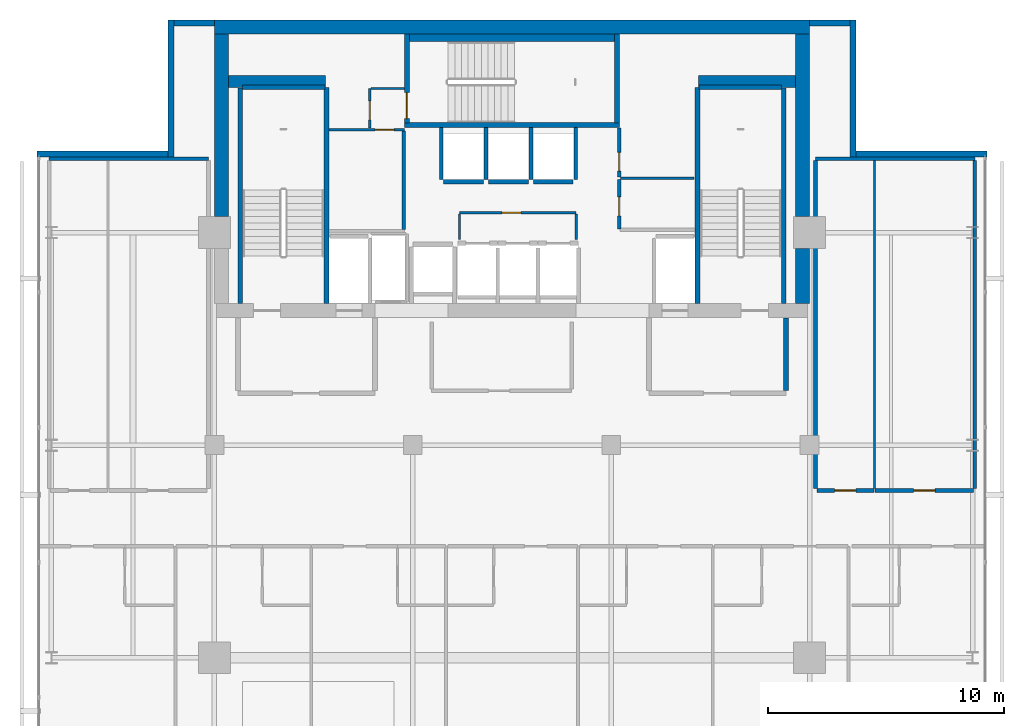
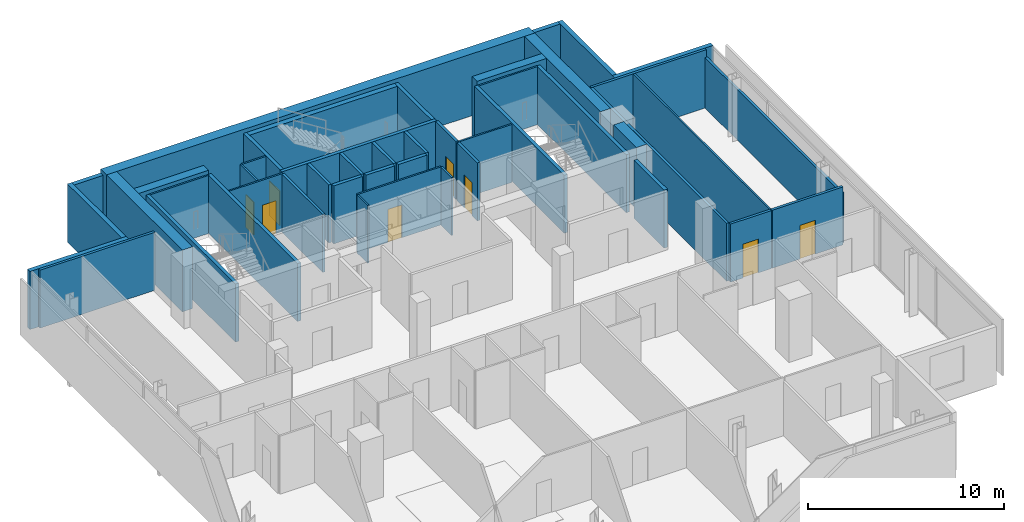
# One storey, part 19 of 24: 47 walls, 8 doors, 8 openings.
"""IFC4 building model written with IfcOpenShell, lengths in metres."""

from ifc_helpers import new_model, si_unit, direction, frame, frame_2d, origin, place, context, subcontext, project, spatial, rectangle, extrude, material, layer, layer_set, type_object, element, fill, save


model = new_model("IFC4")

# Units and contexts
model_context = context("Model", 3, precision=1e-05, world=origin(), true_north=direction((0.0, 1.0)))
body_context = subcontext(model_context, "Body", "Model", "MODEL_VIEW")
ifc_project = project(units=[si_unit("LENGTHUNIT", "METRE"), si_unit("AREAUNIT", "SQUARE_METRE"), si_unit("VOLUMEUNIT", "CUBIC_METRE"), si_unit("PLANEANGLEUNIT", "RADIAN"), si_unit("MASSUNIT", "GRAM", prefix="KILO")], contexts=[model_context])

# Site, building, storey
site_placement = place(None, origin())
site = spatial("IfcSite", under=ifc_project, at=site_placement, CompositionType="ELEMENT")
building_placement = place(site_placement, origin())
building = spatial("IfcBuilding", under=site, at=building_placement, Name="Maruvema Waterfront Hotel and Observation Tower", CompositionType="ELEMENT")
storey_placement = place(building_placement, frame((0.0, 0.0, 329.699951171875)))
storey = spatial("IfcBuildingStorey", under=building, at=storey_placement, Name="L81", CompositionType="ELEMENT", Elevation=329.699951171875)

# Wall
ifc_material_1 = material(Name="Twin-stud acoustic gypsum drywall", Category="gypsum")
ifc_layer_1 = layer(ifc_material_1, 0.14990234375, Name="Acoustic Corridor and Suite Demising Wall 150 mm")
ifc_layer_set_1 = layer_set([ifc_layer_1], Name="Twin-stud acoustic gypsum drywall")
wall_type_1 = type_object("IfcWallType", Name="Acoustic Corridor and Suite Demising Wall 150 mm", PredefinedType="PARTITIONING", material=ifc_layer_set_1)
wall_1_placement = place(storey_placement, frame((33.219970703125, 45.139892578125, 0.0), z_axis=(0.0, 0.0, 1.0), x_axis=(0.0, 1.0, 0.0)))
element("IfcWall", 1, at=wall_1_placement, inside=storey, type_object=wall_type_1, Name="L81 Freed B1 East Wall 014", PredefinedType="PARTITIONING", context=body_context, shape_type="SweptSolid", body=[
    extrude(rectangle(XDim=4.16015625, YDim=0.14990234375, at=frame_2d((2.080078125, 0.0))), origin(), (0.0, 0.0, 1.0), 3.610107421875),
])

# Wall, opening, door
wall_2_placement = place(storey_placement, frame((42.340087890625, 45.159912109375, 0.0), z_axis=(0.0, 0.0, 1.0), x_axis=(0.0, 1.0, 0.0)))
wall_2 = element("IfcWall", 2, at=wall_2_placement, inside=storey, type_object=wall_type_1, Name="L81 Freed B2 West S 018", PredefinedType="PARTITIONING", context=body_context, shape_type="SweptSolid", body=[
    extrude(rectangle(XDim=2.080078125, YDim=0.14990234375, at=frame_2d((1.0400390625, 0.0))), origin(), (0.0, 0.0, 1.0), 3.610107421875),
])
opening_1_placement = place(wall_2_placement, frame((0.550048828125, 0.0, 0.0)))
opening_1 = element("IfcOpeningElement", 3, at=opening_1_placement, cuts=wall_2, Name="Opening DR-080", PredefinedType="OPENING", context=body_context, shape_type="SweptSolid", body=[
    extrude(rectangle(XDim=0.800048828125, YDim=2.050048828125, at=frame_2d((0.39990234375, 1.02490234375))), frame((0.0, 0.0849609375, 0.0), z_axis=(0.0, -1.0, 0.0), x_axis=(1.0, 0.0, 0.0)), (0.0, 0.0, 1.0), 0.169921875),
])
ifc_material_2 = material(Name="Powder-coated steel access leaf", Category="steel")
door_type_1 = type_object("IfcDoorType", Name="Riser and Service Cupboard Door 800x2050 mm", OperationType="NOTDEFINED", PredefinedType="DOOR", material=ifc_material_2)
door_1_placement = place(opening_1_placement, frame((0.800048828125, 0.0, 0.0), z_axis=(0.0, 0.0, 1.0), x_axis=(-1.0, 0.0, 0.0)))
door_1 = element("IfcDoor", 4, at=door_1_placement, inside=storey, type_object=door_type_1, Name="L81 Butler Service Pantry Door", OperationType="SINGLE_SWING_RIGHT", OverallHeight=2.050048828125, OverallWidth=0.800048828125, PredefinedType="DOOR", context=body_context, shape_type="SweptSolid", body=[
    extrude(rectangle(XDim=0.800048828125, YDim=2.050048828125, at=frame_2d((0.39990234375, 1.02490234375))), frame((0.0, 0.02490234375, 0.0), z_axis=(0.0, -1.0, 0.0), x_axis=(1.0, 0.0, 0.0)), (0.0, 0.0, 1.0), 0.050048828125),
])
fill(opening_1, door_1)

wall_3_placement = place(storey_placement, frame((42.340087890625, 47.360107421875, 0.0), z_axis=(0.0, 0.0, 1.0), x_axis=(0.0, 1.0, 0.0)))
wall_3 = element("IfcWall", 5, at=wall_3_placement, inside=storey, type_object=wall_type_1, Name="L81 Freed B2 West N 019", PredefinedType="PARTITIONING", context=body_context, shape_type="SweptSolid", body=[
    extrude(rectangle(XDim=2.059814453125, YDim=0.14990234375, at=frame_2d((1.02978515625, 0.0))), origin(), (0.0, 0.0, 1.0), 3.610107421875),
])
opening_2_placement = place(wall_3_placement, frame((0.239990234375, 0.0, 0.0)))
opening_2 = element("IfcOpeningElement", 6, at=opening_2_placement, cuts=wall_3, Name="Opening DR-080", PredefinedType="OPENING", context=body_context, shape_type="SweptSolid", body=[
    extrude(rectangle(XDim=0.800048828125, YDim=2.050048828125, at=frame_2d((0.39990234375, 1.02490234375))), frame((0.0, 0.0849609375, 0.0), z_axis=(0.0, -1.0, 0.0), x_axis=(1.0, 0.0, 0.0)), (0.0, 0.0, 1.0), 0.169921875),
])
door_2_placement = place(opening_2_placement, frame((0.800048828125, 0.0, 0.0), z_axis=(0.0, 0.0, 1.0), x_axis=(-1.0, 0.0, 0.0)))
door_2 = element("IfcDoor", 7, at=door_2_placement, inside=storey, type_object=door_type_1, Name="L81 Core IT and Linen Store Door", OperationType="SINGLE_SWING_LEFT", OverallHeight=2.050048828125, OverallWidth=0.800048828125, PredefinedType="DOOR", context=body_context, shape_type="SweptSolid", body=[
    extrude(rectangle(XDim=0.800048828125, YDim=2.050048828125, at=frame_2d((0.39990234375, 1.02490234375))), frame((0.0, 0.02490234375, 0.0), z_axis=(0.0, -1.0, 0.0), x_axis=(1.0, 0.0, 0.0)), (0.0, 0.0, 1.0), 0.050048828125),
])
fill(opening_2, door_2)

# Walls
for number, where, z_axis, x_axis, name in (
    (8, (18.199951171875, 48.125, 0.0), (0.0, 0.0, 1.0), (1.0, 0.0, 0.0), "L81 L81-Z4W Back Wall 025"),
    (9, (50.64990234375, 48.125, 0.0), (0.0, 0.0, 1.0), (1.0, 0.0, 0.0), "L81 L81-Z4E Back Wall 031"),
):
    element("IfcWall", number, at=place(storey_placement, frame(where, z_axis=z_axis, x_axis=x_axis)), inside=storey, type_object=wall_type_1, Name=name, PredefinedType="PARTITIONING", context=body_context, shape_type="SweptSolid", body=[
        extrude(rectangle(XDim=6.75, YDim=0.14990234375, at=frame_2d((3.375, 0.0))), origin(), (0.0, 0.0, 1.0), 3.610107421875),
    ])
wall_4_placement = place(storey_placement, frame((50.64990234375, 34.159912109375, 0.0), z_axis=(0.0, 0.0, 1.0), x_axis=(0.0, 1.0, 0.0)))
element("IfcWall", 10, at=wall_4_placement, inside=storey, type_object=wall_type_1, Name="L81 L81-Z4E West Wall 032", PredefinedType="PARTITIONING", context=body_context, shape_type="SweptSolid", body=[
    extrude(rectangle(XDim=13.885009765625, YDim=0.14990234375, at=frame_2d((6.9423828125, 0.0))), origin(), (0.0, 0.0, 1.0), 3.610107421875),
])
wall_5_placement = place(storey_placement, frame((57.39990234375, 34.159912109375, 0.0), z_axis=(0.0, 0.0, 1.0), x_axis=(0.0, 1.0, 0.0)))
element("IfcWall", 11, at=wall_5_placement, inside=storey, type_object=wall_type_1, Name="L81 L81-Z4E East Wall 033", PredefinedType="PARTITIONING", context=body_context, shape_type="SweptSolid", body=[
    extrude(rectangle(XDim=13.885009765625, YDim=0.14990234375, at=frame_2d((6.9423828125, 0.0))), origin(), (0.0, 0.0, 1.0), 3.14111328125),
])

# Wall, opening, door
wall_6_placement = place(storey_placement, frame((50.7099609375, 34.080078125, 0.0), z_axis=(0.0, 0.0, 1.0), x_axis=(1.0, 0.0, 0.0)))
wall_6 = element("IfcWall", 12, at=wall_6_placement, inside=storey, type_object=wall_type_1, Name="L81 L81-Z4E Front 1 034", PredefinedType="PARTITIONING", context=body_context, shape_type="SweptSolid", body=[
    extrude(rectangle(XDim=2.407470703125, YDim=0.14990234375, at=frame_2d((1.20361328125, 0.0))), origin(), (0.0, 0.0, 1.0), 3.610107421875),
])
opening_3_placement = place(wall_6_placement, frame((0.753662109375, 0.0, 0.0)))
opening_3 = element("IfcOpeningElement", 13, at=opening_3_placement, cuts=wall_6, Name="Opening DR-090", PredefinedType="OPENING", context=body_context, shape_type="SweptSolid", body=[
    extrude(rectangle(XDim=0.89990234375, YDim=2.10009765625, at=frame_2d((0.449951171875, 1.050048828125))), frame((0.0, 0.0849609375, 0.0), z_axis=(0.0, -1.0, 0.0), x_axis=(1.0, 0.0, 0.0)), (0.0, 0.0, 1.0), 0.169921875),
])
ifc_material_3 = material(Name="Solid-core lacquered timber leaf", Category="wood")
door_type_2 = type_object("IfcDoorType", Name="Accessible Toilet and Room Door 900x2100 mm", OperationType="NOTDEFINED", PredefinedType="DOOR", material=ifc_material_3)
door_3_placement = place(opening_3_placement, frame((0.89990234375, 0.0, 0.0), z_axis=(0.0, 0.0, 1.0), x_axis=(-1.0, 0.0, 0.0)))
door_3 = element("IfcDoor", 14, at=door_3_placement, inside=storey, type_object=door_type_2, Name="L81 Executive Meeting Salon 1 Door", OperationType="SINGLE_SWING_LEFT", OverallHeight=2.10009765625, OverallWidth=0.89990234375, PredefinedType="DOOR", context=body_context, shape_type="SweptSolid", body=[
    extrude(rectangle(XDim=0.89990234375, YDim=2.10009765625, at=frame_2d((0.449951171875, 1.050048828125))), frame((0.0, 0.02490234375, 0.0), z_axis=(0.0, -1.0, 0.0), x_axis=(1.0, 0.0, 0.0)), (0.0, 0.0, 1.0), 0.050048828125),
])
fill(opening_3, door_3)

wall_7_placement = place(storey_placement, frame((53.177490234375, 34.080078125, 0.0), z_axis=(0.0, 0.0, 1.0), x_axis=(1.0, 0.0, 0.0)))
wall_7 = element("IfcWall", 15, at=wall_7_placement, inside=storey, type_object=wall_type_1, Name="L81 L81-Z4E Front 2 036", PredefinedType="PARTITIONING", context=body_context, shape_type="SweptSolid", body=[
    extrude(rectangle(XDim=4.16259765625, YDim=0.14990234375, at=frame_2d((2.081298828125, 0.0))), origin(), (0.0, 0.0, 1.0), 3.610107421875),
])
opening_4_placement = place(wall_7_placement, frame((1.63134765625, 0.0, 0.0)))
opening_4 = element("IfcOpeningElement", 16, at=opening_4_placement, cuts=wall_7, Name="Opening DR-090", PredefinedType="OPENING", context=body_context, shape_type="SweptSolid", body=[
    extrude(rectangle(XDim=0.89990234375, YDim=2.10009765625, at=frame_2d((0.449951171875, 1.050048828125))), frame((0.0, 0.0849609375, 0.0), z_axis=(0.0, -1.0, 0.0), x_axis=(1.0, 0.0, 0.0)), (0.0, 0.0, 1.0), 0.169921875),
])
door_4_placement = place(opening_4_placement, frame((0.89990234375, 0.0, 0.0), z_axis=(0.0, 0.0, 1.0), x_axis=(-1.0, 0.0, 0.0)))
door_4 = element("IfcDoor", 17, at=door_4_placement, inside=storey, type_object=door_type_2, Name="L81 Executive Meeting Salon 2 Door", OperationType="SINGLE_SWING_RIGHT", OverallHeight=2.10009765625, OverallWidth=0.89990234375, PredefinedType="DOOR", context=body_context, shape_type="SweptSolid", body=[
    extrude(rectangle(XDim=0.89990234375, YDim=2.10009765625, at=frame_2d((0.449951171875, 1.050048828125))), frame((0.0, 0.02490234375, 0.0), z_axis=(0.0, -1.0, 0.0), x_axis=(1.0, 0.0, 0.0)), (0.0, 0.0, 1.0), 0.050048828125),
])
fill(opening_4, door_4)

# Walls
ifc_material_4 = material(Name="Precast concrete C45/55", Category="concrete")
ifc_layer_2 = layer(ifc_material_4, 0.300048828125, Name="Core Shaft Furring Wall 300 mm")
ifc_layer_set_2 = layer_set([ifc_layer_2], Name="Precast concrete C45/55")
wall_type_2 = type_object("IfcWallType", Name="Core Shaft Furring Wall 300 mm", PredefinedType="SOLIDWALL", material=ifc_layer_set_2)
wall_8_placement = place(storey_placement, frame((33.449951171875, 53.25, 0.0), z_axis=(0.0, 0.0, 1.0), x_axis=(1.0, 0.0, 0.0)))
element("IfcWall", 18, at=wall_8_placement, inside=storey, type_object=wall_type_2, Name="L81 Stairwell ST-02 North Furring Wall", PredefinedType="SOLIDWALL", context=body_context, shape_type="SweptSolid", body=[
    extrude(rectangle(XDim=8.699951171875, YDim=0.300048828125, at=frame_2d((4.35009765625, 0.0))), origin(), (0.0, 0.0, 1.0), 3.610107421875),
])
ifc_material_5 = material(Name="Precast concrete C45/55", Category="concrete")
ifc_layer_3 = layer(ifc_material_5, 0.199951171875, Name="Core Shaft and Stairwell Enclosure Wall 200 mm")
ifc_layer_set_3 = layer_set([ifc_layer_3], Name="Precast concrete C45/55")
wall_type_3 = type_object("IfcWallType", Name="Core Shaft and Stairwell Enclosure Wall 200 mm", PredefinedType="SOLIDWALL", material=ifc_layer_set_3)
wall_9_placement = place(storey_placement, frame((29.949951171875, 42.0, 0.0), z_axis=(0.0, 0.0, 1.0), x_axis=(0.0, 1.0, 0.0)))
element("IfcWall", 19, at=wall_9_placement, inside=storey, type_object=wall_type_3, Name="L81 Stairwell ST-01 East Shaft Wall", PredefinedType="SOLIDWALL", context=body_context, shape_type="SweptSolid", body=[
    extrude(rectangle(XDim=9.14990234375, YDim=0.199951171875, at=frame_2d((4.574951171875, 0.0))), origin(), (0.0, 0.0, 1.0), 3.610107421875),
])
wall_10_placement = place(storey_placement, frame((26.300048828125, 42.0, 0.0), z_axis=(0.0, 0.0, 1.0), x_axis=(0.0, 1.0, 0.0)))
element("IfcWall", 20, at=wall_10_placement, inside=storey, type_object=wall_type_3, Name="L81 Stairwell ST-01 Shaft Lining Wall", PredefinedType="SOLIDWALL", context=body_context, shape_type="SweptSolid", body=[
    extrude(rectangle(XDim=9.1201171875, YDim=0.199951171875, at=frame_2d((4.56005859375, 0.0))), origin(), (0.0, 0.0, 1.0), 3.610107421875),
])
wall_11_placement = place(storey_placement, frame((26.3798828125, 51.14990234375, 0.0), z_axis=(0.0, 0.0, 1.0), x_axis=(1.0, 0.0, 0.0)))
element("IfcWall", 21, at=wall_11_placement, inside=storey, type_object=wall_type_3, Name="L81 Stairwell ST-01 Shaft Lining Wall", PredefinedType="SOLIDWALL", context=body_context, shape_type="SweptSolid", body=[
    extrude(rectangle(XDim=3.5, YDim=0.199951171875, at=frame_2d((1.75, 0.0))), origin(), (0.0, 0.0, 1.0), 3.610107421875),
])
wall_12_placement = place(storey_placement, frame((33.25, 49.550048828125, 0.0), z_axis=(0.0, 0.0, 1.0), x_axis=(1.0, 0.0, 0.0)))
element("IfcWall", 22, at=wall_12_placement, inside=storey, type_object=wall_type_3, Name="L81 Stairwell ST-02 Shaft Wall", PredefinedType="SOLIDWALL", context=body_context, shape_type="SweptSolid", body=[
    extrude(rectangle(XDim=9.10009765625, YDim=0.199951171875, at=frame_2d((4.550048828125, 0.0))), origin(), (0.0, 0.0, 1.0), 3.610107421875),
])
wall_13_placement = place(storey_placement, frame((42.25, 49.64990234375, 0.0), z_axis=(0.0, 0.0, 1.0), x_axis=(0.0, 1.0, 0.0)))
element("IfcWall", 23, at=wall_13_placement, inside=storey, type_object=wall_type_3, Name="L81 Stairwell ST-02 Shaft Wall", PredefinedType="SOLIDWALL", context=body_context, shape_type="SweptSolid", body=[
    extrude(rectangle(XDim=3.75, YDim=0.199951171875, at=frame_2d((1.875, 0.0))), origin(), (0.0, 0.0, 1.0), 3.610107421875),
])

# Wall, opening, door
wall_14_placement = place(storey_placement, frame((33.35009765625, 49.64990234375, 0.0), z_axis=(0.0, 0.0, 1.0), x_axis=(0.0, 1.0, 0.0)))
wall_14 = element("IfcWall", 24, at=wall_14_placement, inside=storey, type_object=wall_type_3, Name="L81 Stairwell ST-02 Shaft Wall", PredefinedType="SOLIDWALL", context=body_context, shape_type="SweptSolid", body=[
    extrude(rectangle(XDim=3.75, YDim=0.199951171875, at=frame_2d((1.875, 0.0))), origin(), (0.0, 0.0, 1.0), 3.610107421875),
])
opening_5_placement = place(wall_14_placement, frame((0.179931640625, 0.0, 0.0)))
opening_5 = element("IfcOpeningElement", 25, at=opening_5_placement, cuts=wall_14, Name="Opening SD-02", PredefinedType="OPENING", context=body_context, shape_type="SweptSolid", body=[
    extrude(rectangle(XDim=1.10009765625, YDim=2.14990234375, at=frame_2d((0.550048828125, 1.074951171875))), frame((0.0, 0.10986328125, 0.0), z_axis=(0.0, -1.0, 0.0), x_axis=(1.0, 0.0, 0.0)), (0.0, 0.0, 1.0), 0.219970703125),
])
ifc_material_6 = material(Name="Fire-rated galvanised steel leaf", Category="steel")
door_type_3 = type_object("IfcDoorType", Name="Central Exit Stair Fire Door 1100x2150 mm", OperationType="NOTDEFINED", PredefinedType="DOOR", material=ifc_material_6)
door_5_placement = place(opening_5_placement, frame((1.10009765625, 0.0, 0.0), z_axis=(0.0, 0.0, 1.0), x_axis=(-1.0, 0.0, 0.0)))
door_5 = element("IfcDoor", 26, at=door_5_placement, inside=storey, type_object=door_type_3, Name="L81 Exit Stair ST-02 Fire Door", OperationType="SINGLE_SWING_LEFT", OverallHeight=2.14990234375, OverallWidth=1.10009765625, PredefinedType="DOOR", context=body_context, shape_type="SweptSolid", body=[
    extrude(rectangle(XDim=1.10009765625, YDim=2.14990234375, at=frame_2d((0.550048828125, 1.074951171875))), frame((0.0, 0.02490234375, 0.0), z_axis=(0.0, -1.0, 0.0), x_axis=(1.0, 0.0, 0.0)), (0.0, 0.0, 1.0), 0.050048828125),
])
fill(opening_5, door_5)

# Walls
wall_15_placement = place(storey_placement, frame((45.64990234375, 42.0, 0.0), z_axis=(0.0, 0.0, 1.0), x_axis=(0.0, 1.0, 0.0)))
element("IfcWall", 27, at=wall_15_placement, inside=storey, type_object=wall_type_3, Name="L81 Stairwell ST-03 West Shaft Wall", PredefinedType="SOLIDWALL", context=body_context, shape_type="SweptSolid", body=[
    extrude(rectangle(XDim=9.14990234375, YDim=0.199951171875, at=frame_2d((4.574951171875, 0.0))), origin(), (0.0, 0.0, 1.0), 3.610107421875),
])
wall_16_placement = place(storey_placement, frame((49.300048828125, 42.0, 0.0), z_axis=(0.0, 0.0, 1.0), x_axis=(0.0, 1.0, 0.0)))
element("IfcWall", 28, at=wall_16_placement, inside=storey, type_object=wall_type_3, Name="L81 Stairwell ST-03 Shaft Lining Wall", PredefinedType="SOLIDWALL", context=body_context, shape_type="SweptSolid", body=[
    extrude(rectangle(XDim=9.1201171875, YDim=0.199951171875, at=frame_2d((4.56005859375, 0.0))), origin(), (0.0, 0.0, 1.0), 3.610107421875),
])
wall_17_placement = place(storey_placement, frame((45.719970703125, 51.14990234375, 0.0), z_axis=(0.0, 0.0, 1.0), x_axis=(1.0, 0.0, 0.0)))
element("IfcWall", 29, at=wall_17_placement, inside=storey, type_object=wall_type_3, Name="L81 Stairwell ST-03 Shaft Lining Wall", PredefinedType="SOLIDWALL", context=body_context, shape_type="SweptSolid", body=[
    extrude(rectangle(XDim=3.5, YDim=0.199951171875, at=frame_2d((1.75, 0.0))), origin(), (0.0, 0.0, 1.0), 3.610107421875),
])
wall_18_placement = place(storey_placement, frame((34.909912109375, 47.14990234375, 0.0), z_axis=(0.0, 0.0, 1.0), x_axis=(1.0, 0.0, 0.0)))
element("IfcWall", 30, at=wall_18_placement, inside=storey, type_object=wall_type_3, Name="L81 Lift LF-12 Hoistway Front Wall", PredefinedType="SOLIDWALL", context=body_context, shape_type="SweptSolid", body=[
    extrude(rectangle(XDim=1.68017578125, YDim=0.199951171875, at=frame_2d((0.840087890625, 0.0))), origin(), (0.0, 0.0, 1.0), 3.610107421875),
])
for number, where, z_axis, x_axis, name in (
    (31, (36.81005859375, 47.14990234375, 0.0), (0.0, 0.0, 1.0), (1.0, 0.0, 0.0), "L81 Lift LF-13 Hoistway Front Wall"),
    (32, (38.7099609375, 47.14990234375, 0.0), (0.0, 0.0, 1.0), (1.0, 0.0, 0.0), "L81 Lift LF-14 Hoistway Front Wall"),
):
    element("IfcWall", number, at=place(storey_placement, frame(where, z_axis=z_axis, x_axis=x_axis)), inside=storey, type_object=wall_type_3, Name=name, PredefinedType="SOLIDWALL", context=body_context, shape_type="SweptSolid", body=[
        extrude(rectangle(XDim=1.679931640625, YDim=0.199951171875, at=frame_2d((0.83984375, 0.0))), origin(), (0.0, 0.0, 1.0), 3.610107421875),
    ])
ifc_material_7 = material(Name="Concrete C70/85", Category="concrete")
ifc_layer_4 = layer(ifc_material_7, 0.5, Name="Core Shear Wall 500 mm")
ifc_layer_set_4 = layer_set([ifc_layer_4], Name="Concrete C70/85")
wall_type_4 = type_object("IfcWallType", Name="Core Shear Wall 500 mm", PredefinedType="SHEAR", material=ifc_layer_set_4)
wall_19_placement = place(storey_placement, frame((25.800048828125, 51.39990234375, 0.0), z_axis=(0.0, 0.0, 1.0), x_axis=(1.0, 0.0, 0.0)))
element("IfcWall", 33, at=wall_19_placement, inside=storey, type_object=wall_type_4, Name="L81 Internal Core Shear Wall NW 500 mm", PredefinedType="SHEAR", context=body_context, shape_type="SweptSolid", body=[
    extrude(rectangle(XDim=4.099853515625, YDim=0.5, at=frame_2d((2.0498046875, 0.0))), origin(), (0.0, 0.0, 1.0), 3.85009765625),
])
wall_20_placement = place(storey_placement, frame((45.699951171875, 51.39990234375, 0.0), z_axis=(0.0, 0.0, 1.0), x_axis=(1.0, 0.0, 0.0)))
element("IfcWall", 34, at=wall_20_placement, inside=storey, type_object=wall_type_4, Name="L81 Internal Core Shear Wall NE 500 mm", PredefinedType="SHEAR", context=body_context, shape_type="SweptSolid", body=[
    extrude(rectangle(XDim=4.10009765625, YDim=0.5, at=frame_2d((2.050048828125, 0.0))), origin(), (0.0, 0.0, 1.0), 3.85009765625),
])
ifc_material_8 = material(Name="Concrete C60/75", Category="concrete")
ifc_layer_5 = layer(ifc_material_8, 0.60009765625, Name="Core Shear Wall 600 mm")
ifc_layer_set_5 = layer_set([ifc_layer_5], Name="Concrete C60/75")
wall_type_5 = type_object("IfcWallType", Name="Core Shear Wall 600 mm", PredefinedType="SHEAR", material=ifc_layer_set_5)
wall_21_placement = place(storey_placement, frame((25.199951171875, 53.699951171875, 0.0), z_axis=(0.0, 0.0, 1.0), x_axis=(1.0, 0.0, 0.0)))
element("IfcWall", 35, at=wall_21_placement, inside=storey, type_object=wall_type_5, Name="L81 North Core Shear Wall", PredefinedType="SHEAR", context=body_context, shape_type="SweptSolid", body=[
    extrude(rectangle(XDim=25.199951171875, YDim=0.60009765625, at=frame_2d((12.60009765625, 0.0))), origin(), (0.0, 0.0, 1.0), 3.85009765625),
])
wall_22_placement = place(storey_placement, frame((25.5, 45.675048828125, 0.0), z_axis=(0.0, 0.0, 1.0), x_axis=(0.0, 1.0, 0.0)))
element("IfcWall", 36, at=wall_22_placement, inside=storey, type_object=wall_type_5, Name="L81 West-North Core Shear Wall", PredefinedType="SHEAR", context=body_context, shape_type="SweptSolid", body=[
    extrude(rectangle(XDim=7.724853515625, YDim=0.60009765625, at=frame_2d((3.8623046875, 0.0))), origin(), (0.0, 0.0, 1.0), 3.85009765625),
])
wall_23_placement = place(storey_placement, frame((50.10009765625, 42.0, 0.0), z_axis=(0.0, 0.0, 1.0), x_axis=(0.0, 1.0, 0.0)))
element("IfcWall", 37, at=wall_23_placement, inside=storey, type_object=wall_type_5, Name="L81 East-South Core Shear Wall", PredefinedType="SHEAR", context=body_context, shape_type="SweptSolid", body=[
    extrude(rectangle(XDim=2.324951171875, YDim=0.60009765625, at=frame_2d((1.16259765625, 0.0))), origin(), (0.0, 0.0, 1.0), 3.85009765625),
])
wall_24_placement = place(storey_placement, frame((50.10009765625, 45.675048828125, 0.0), z_axis=(0.0, 0.0, 1.0), x_axis=(0.0, 1.0, 0.0)))
element("IfcWall", 38, at=wall_24_placement, inside=storey, type_object=wall_type_5, Name="L81 East-North Core Shear Wall", PredefinedType="SHEAR", context=body_context, shape_type="SweptSolid", body=[
    extrude(rectangle(XDim=7.724853515625, YDim=0.60009765625, at=frame_2d((3.8623046875, 0.0))), origin(), (0.0, 0.0, 1.0), 3.85009765625),
])

# Wall, opening, door
ifc_material_9 = material(Name="Moisture-resistant cement-board drywall", Category="gypsum")
ifc_layer_6 = layer(ifc_material_9, 0.10009765625, Name="En-Suite Moisture-Resistant Partition 100 mm")
ifc_layer_set_6 = layer_set([ifc_layer_6], Name="Moisture-resistant cement-board drywall")
wall_type_6 = type_object("IfcWallType", Name="En-Suite Moisture-Resistant Partition 100 mm", PredefinedType="PARTITIONING", material=ifc_layer_set_6)
wall_25_placement = place(storey_placement, frame((35.580078125, 45.840087890625, 0.0), z_axis=(0.0, 0.0, 1.0), x_axis=(1.0, 0.0, 0.0)))
wall_25 = element("IfcWall", 39, at=wall_25_placement, inside=storey, type_object=wall_type_6, Name="L81 Core Closet K0 North 010", PredefinedType="PARTITIONING", context=body_context, shape_type="SweptSolid", body=[
    extrude(rectangle(XDim=4.93994140625, YDim=0.10009765625, at=frame_2d((2.469970703125, 0.0))), origin(), (0.0, 0.0, 1.0), 3.610107421875),
])
opening_6_placement = place(wall_25_placement, frame((1.800048828125, 0.0, 0.0)))
opening_6 = element("IfcOpeningElement", 40, at=opening_6_placement, cuts=wall_25, Name="Opening DR-080", PredefinedType="OPENING", context=body_context, shape_type="SweptSolid", body=[
    extrude(rectangle(XDim=0.800048828125, YDim=2.050048828125, at=frame_2d((0.39990234375, 1.02490234375))), frame((0.0, 0.06005859375, 0.0), z_axis=(0.0, -1.0, 0.0), x_axis=(1.0, 0.0, 0.0)), (0.0, 0.0, 1.0), 0.1201171875),
])
door_6_placement = place(opening_6_placement, origin())
door_6 = element("IfcDoor", 41, at=door_6_placement, inside=storey, type_object=door_type_1, Name="L81 Core Electrical Closet Door", OperationType="SINGLE_SWING_LEFT", OverallHeight=2.050048828125, OverallWidth=0.800048828125, PredefinedType="DOOR", context=body_context, shape_type="SweptSolid", body=[
    extrude(rectangle(XDim=0.800048828125, YDim=2.050048828125, at=frame_2d((0.39990234375, 1.02490234375))), frame((0.0, 0.02490234375, 0.0), z_axis=(0.0, -1.0, 0.0), x_axis=(1.0, 0.0, 0.0)), (0.0, 0.0, 1.0), 0.050048828125),
])
fill(opening_6, door_6)

# Walls
for number, where, z_axis, x_axis, name in (
    (42, (35.580078125, 44.699951171875, 0.0), (0.0, 0.0, 1.0), (0.0, 1.0, 0.0), "L81 Core Closet K0 West 011"),
    (43, (40.52001953125, 44.699951171875, 0.0), (0.0, 0.0, 1.0), (0.0, 1.0, 0.0), "L81 Core Closet K0 East 012"),
):
    element("IfcWall", number, at=place(storey_placement, frame(where, z_axis=z_axis, x_axis=x_axis)), inside=storey, type_object=wall_type_6, Name=name, PredefinedType="PARTITIONING", context=body_context, shape_type="SweptSolid", body=[
        extrude(rectangle(XDim=1.080078125, YDim=0.10009765625, at=frame_2d((0.5400390625, 0.0))), origin(), (0.0, 0.0, 1.0), 3.610107421875),
    ])

# Wall, opening, door
wall_26_placement = place(storey_placement, frame((30.06005859375, 49.360107421875, 0.0), z_axis=(0.0, 0.0, 1.0), x_axis=(1.0, 0.0, 0.0)))
wall_26 = element("IfcWall", 44, at=wall_26_placement, inside=storey, type_object=wall_type_6, Name="L81 Freed B1 Mid Wall 015", PredefinedType="PARTITIONING", context=body_context, shape_type="SweptSolid", body=[
    extrude(rectangle(XDim=3.179931640625, YDim=0.10009765625, at=frame_2d((1.58984375, 0.0))), origin(), (0.0, 0.0, 1.0), 3.610107421875),
])
opening_7_placement = place(wall_26_placement, frame((1.949951171875, 0.0, 0.0)))
opening_7 = element("IfcOpeningElement", 45, at=opening_7_placement, cuts=wall_26, Name="Opening DR-080", PredefinedType="OPENING", context=body_context, shape_type="SweptSolid", body=[
    extrude(rectangle(XDim=0.800048828125, YDim=2.050048828125, at=frame_2d((0.39990234375, 1.02490234375))), frame((0.0, 0.06005859375, 0.0), z_axis=(0.0, -1.0, 0.0), x_axis=(1.0, 0.0, 0.0)), (0.0, 0.0, 1.0), 0.1201171875),
])
door_7_placement = place(opening_7_placement, origin())
door_7 = element("IfcDoor", 46, at=door_7_placement, inside=storey, type_object=door_type_1, Name="L81 Housekeeping and Linen Room Door", OperationType="SINGLE_SWING_RIGHT", OverallHeight=2.050048828125, OverallWidth=0.800048828125, PredefinedType="DOOR", context=body_context, shape_type="SweptSolid", body=[
    extrude(rectangle(XDim=0.800048828125, YDim=2.050048828125, at=frame_2d((0.39990234375, 1.02490234375))), frame((0.0, 0.02490234375, 0.0), z_axis=(0.0, -1.0, 0.0), x_axis=(1.0, 0.0, 0.0)), (0.0, 0.0, 1.0), 0.050048828125),
])
fill(opening_7, door_7)

wall_27_placement = place(storey_placement, frame((31.780029296875, 49.419921875, 0.0), z_axis=(0.0, 0.0, 1.0), x_axis=(0.0, 1.0, 0.0)))
wall_27 = element("IfcWall", 47, at=wall_27_placement, inside=storey, type_object=wall_type_6, Name="L81 Freed B1 NW East Wall 016", PredefinedType="PARTITIONING", context=body_context, shape_type="SweptSolid", body=[
    extrude(rectangle(XDim=1.68017578125, YDim=0.10009765625, at=frame_2d((0.840087890625, 0.0))), origin(), (0.0, 0.0, 1.0), 3.610107421875),
])
opening_8_placement = place(wall_27_placement, frame((0.35009765625, 0.0, 0.0)))
opening_8 = element("IfcOpeningElement", 48, at=opening_8_placement, cuts=wall_27, Name="Opening DR-080", PredefinedType="OPENING", context=body_context, shape_type="SweptSolid", body=[
    extrude(rectangle(XDim=0.800048828125, YDim=2.050048828125, at=frame_2d((0.39990234375, 1.02490234375))), frame((0.0, 0.06005859375, 0.0), z_axis=(0.0, -1.0, 0.0), x_axis=(1.0, 0.0, 0.0)), (0.0, 0.0, 1.0), 0.1201171875),
])
door_8_placement = place(opening_8_placement, origin())
door_8 = element("IfcDoor", 49, at=door_8_placement, inside=storey, type_object=door_type_1, Name="L81 Guest Floor Pantry Door", OperationType="SINGLE_SWING_LEFT", OverallHeight=2.050048828125, OverallWidth=0.800048828125, PredefinedType="DOOR", context=body_context, shape_type="SweptSolid", body=[
    extrude(rectangle(XDim=0.800048828125, YDim=2.050048828125, at=frame_2d((0.39990234375, 1.02490234375))), frame((0.0, 0.02490234375, 0.0), z_axis=(0.0, -1.0, 0.0), x_axis=(1.0, 0.0, 0.0)), (0.0, 0.0, 1.0), 0.050048828125),
])
fill(opening_8, door_8)

# Walls
wall_28_placement = place(storey_placement, frame((31.820068359375, 51.10009765625, 0.0), z_axis=(0.0, 0.0, 1.0), x_axis=(1.0, 0.0, 0.0)))
element("IfcWall", 50, at=wall_28_placement, inside=storey, type_object=wall_type_6, Name="L81 Freed B1 Vestibule North Wall 017", PredefinedType="PARTITIONING", context=body_context, shape_type="SweptSolid", body=[
    extrude(rectangle(XDim=1.419921875, YDim=0.10009765625, at=frame_2d((0.7099609375, 0.0))), origin(), (0.0, 0.0, 1.0), 3.610107421875),
])
wall_29_placement = place(storey_placement, frame((42.39990234375, 47.300048828125, 0.0), z_axis=(0.0, 0.0, 1.0), x_axis=(1.0, 0.0, 0.0)))
element("IfcWall", 51, at=wall_29_placement, inside=storey, type_object=wall_type_6, Name="L81 Freed B2 Split 020", PredefinedType="PARTITIONING", context=body_context, shape_type="SweptSolid", body=[
    extrude(rectangle(XDim=3.10009765625, YDim=0.10009765625, at=frame_2d((1.550048828125, 0.0))), origin(), (0.0, 0.0, 1.0), 3.610107421875),
])
wall_30_placement = place(storey_placement, frame((53.1474609375, 34.159912109375, 0.0), z_axis=(0.0, 0.0, 1.0), x_axis=(0.0, 1.0, 0.0)))
element("IfcWall", 52, at=wall_30_placement, inside=storey, type_object=wall_type_6, Name="L81 L81-Z4E Split 1 035", PredefinedType="PARTITIONING", context=body_context, shape_type="SweptSolid", body=[
    extrude(rectangle(XDim=13.885009765625, YDim=0.10009765625, at=frame_2d((6.9423828125, 0.0))), origin(), (0.0, 0.0, 1.0), 3.610107421875),
])
ifc_material_10 = material(Name="Precast concrete C45/55 with honed Pernambuco granite facing", Category="masonry")
ifc_layer_7 = layer(ifc_material_10, 0.260009765625, Name="Exterior Granite Clad Spandrel and Pier Wall 260 mm")
ifc_layer_set_7 = layer_set([ifc_layer_7], Name="Precast concrete C45/55 with honed Pernambuco granite facing")
wall_type_7 = type_object("IfcWallType", Name="Exterior Granite Clad Spandrel and Pier Wall 260 mm", PredefinedType="SOLIDWALL", material=ifc_layer_set_7)
wall_31_placement = place(storey_placement, frame((52.22998046875, 54.0, 0.0), z_axis=(0.0, 0.0, 1.0), x_axis=(0.0, -1.0, 0.0)))
element("IfcWall", 53, at=wall_31_placement, inside=storey, type_object=wall_type_7, Name="L81 Corner Notch Granite Pier Wall NE1", PredefinedType="SOLIDWALL", context=body_context, shape_type="SweptSolid", body=[
    extrude(rectangle(XDim=5.800048828125, YDim=0.260009765625, at=frame_2d((2.89990234375, 0.0))), origin(), (0.0, 0.0, 1.0), 3.610107421875),
])
wall_32_placement = place(storey_placement, frame((52.10009765625, 48.330078125, 0.0), z_axis=(0.0, 0.0, 1.0), x_axis=(1.0, 0.0, 0.0)))
element("IfcWall", 54, at=wall_32_placement, inside=storey, type_object=wall_type_7, Name="L81 Corner Notch Granite Pier Wall NE2", PredefinedType="SOLIDWALL", context=body_context, shape_type="SweptSolid", body=[
    extrude(rectangle(XDim=5.7998046875, YDim=0.260009765625, at=frame_2d((2.89990234375, 0.0))), origin(), (0.0, 0.0, 1.0), 3.610107421875),
])
for number, where, z_axis, x_axis, name in (
    (55, (23.3701171875, 48.199951171875, 0.0), (0.0, 0.0, 1.0), (0.0, 1.0, 0.0), "L81 Corner Notch Granite Pier Wall NW1"),
    (56, (17.699951171875, 48.330078125, 0.0), (0.0, 0.0, 1.0), (1.0, 0.0, 0.0), "L81 Corner Notch Granite Pier Wall NW2"),
):
    element("IfcWall", number, at=place(storey_placement, frame(where, z_axis=z_axis, x_axis=x_axis)), inside=storey, type_object=wall_type_7, Name=name, PredefinedType="SOLIDWALL", context=body_context, shape_type="SweptSolid", body=[
        extrude(rectangle(XDim=5.800048828125, YDim=0.260009765625, at=frame_2d((2.89990234375, 0.0))), origin(), (0.0, 0.0, 1.0), 3.610107421875),
    ])
wall_33_placement = place(storey_placement, frame((25.199951171875, 53.8701171875, 0.0), z_axis=(0.0, 0.0, 1.0), x_axis=(-1.0, 0.0, 0.0)))
element("IfcWall", 57, at=wall_33_placement, inside=storey, type_object=wall_type_7, Name="L81 North-West Core Flanking Pier Wall", PredefinedType="SOLIDWALL", context=body_context, shape_type="SweptSolid", body=[
    extrude(rectangle(XDim=1.699951171875, YDim=0.260009765625, at=frame_2d((0.85009765625, 0.0))), origin(), (0.0, 0.0, 1.0), 3.610107421875),
])
wall_34_placement = place(storey_placement, frame((52.10009765625, 53.8701171875, 0.0), z_axis=(0.0, 0.0, 1.0), x_axis=(-1.0, 0.0, 0.0)))
element("IfcWall", 58, at=wall_34_placement, inside=storey, type_object=wall_type_7, Name="L81 North-East Core Flanking Pier Wall", PredefinedType="SOLIDWALL", context=body_context, shape_type="SweptSolid", body=[
    extrude(rectangle(XDim=1.7001953125, YDim=0.260009765625, at=frame_2d((0.85009765625, 0.0))), origin(), (0.0, 0.0, 1.0), 3.610107421875),
])
ifc_material_11 = material(Name="Autoclaved cellular concrete blockwork", Category="masonry")
ifc_layer_8 = layer(ifc_material_11, 0.199951171875, Name="Fire Compartment Masonry Wall 200 mm")
ifc_layer_set_8 = layer_set([ifc_layer_8], Name="Autoclaved cellular concrete blockwork")
wall_type_8 = type_object("IfcWallType", Name="Fire Compartment Masonry Wall 200 mm", PredefinedType="PARTITIONING", material=ifc_layer_set_8)
wall_35_placement = place(storey_placement, frame((49.39990234375, 38.31005859375, 0.0), z_axis=(0.0, 0.0, 1.0), x_axis=(0.0, 1.0, 0.0)))
element("IfcWall", 59, at=wall_35_placement, inside=storey, type_object=wall_type_8, Name="L81 FFL East East Wall 006", PredefinedType="PARTITIONING", context=body_context, shape_type="SweptSolid", body=[
    extrude(rectangle(XDim=3.06982421875, YDim=0.199951171875, at=frame_2d((1.534912109375, 0.0))), origin(), (0.0, 0.0, 1.0), 3.610107421875),
])
ifc_material_12 = material(Name="Precast concrete C45/55", Category="concrete")
ifc_layer_9 = layer(ifc_material_12, 0.159912109375, Name="Lift Hoistway Divider Wall 160 mm")
ifc_layer_set_9 = layer_set([ifc_layer_9], Name="Precast concrete C45/55")
wall_type_9 = type_object("IfcWallType", Name="Lift Hoistway Divider Wall 160 mm", PredefinedType="SOLIDWALL", material=ifc_layer_set_9)
for number, where, z_axis, x_axis, name in (
    (60, (34.800048828125, 47.25, 0.0), (0.0, 0.0, 1.0), (0.0, 1.0, 0.0), "L81 Hoistway Divider Wall"),
    (61, (36.699951171875, 47.25, 0.0), (0.0, 0.0, 1.0), (0.0, 1.0, 0.0), "L81 Hoistway Divider Wall"),
    (62, (38.60009765625, 47.25, 0.0), (0.0, 0.0, 1.0), (0.0, 1.0, 0.0), "L81 Hoistway Divider Wall"),
    (63, (40.5, 47.25, 0.0), (0.0, 0.0, 1.0), (0.0, 1.0, 0.0), "L81 Hoistway Divider Wall"),
):
    element("IfcWall", number, at=place(storey_placement, frame(where, z_axis=z_axis, x_axis=x_axis)), inside=storey, type_object=wall_type_9, Name=name, PredefinedType="SOLIDWALL", context=body_context, shape_type="SweptSolid", body=[
        extrude(rectangle(XDim=2.18994140625, YDim=0.159912109375, at=frame_2d((1.094970703125, 0.0))), origin(), (0.0, 0.0, 1.0), 3.610107421875),
    ])

save(model, "model.ifc")
